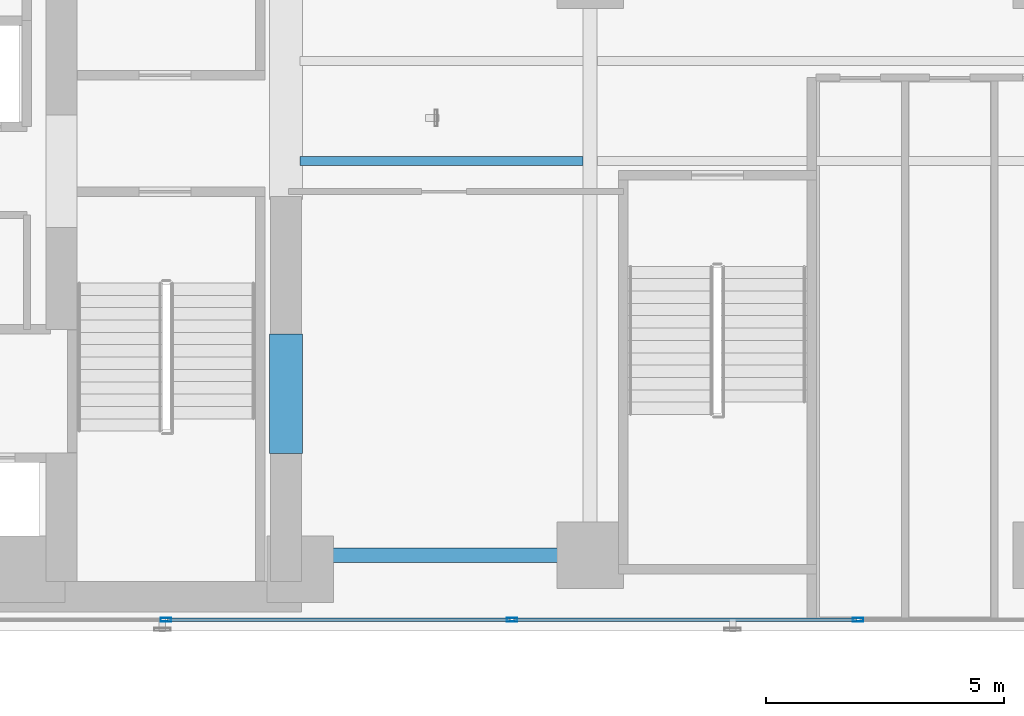
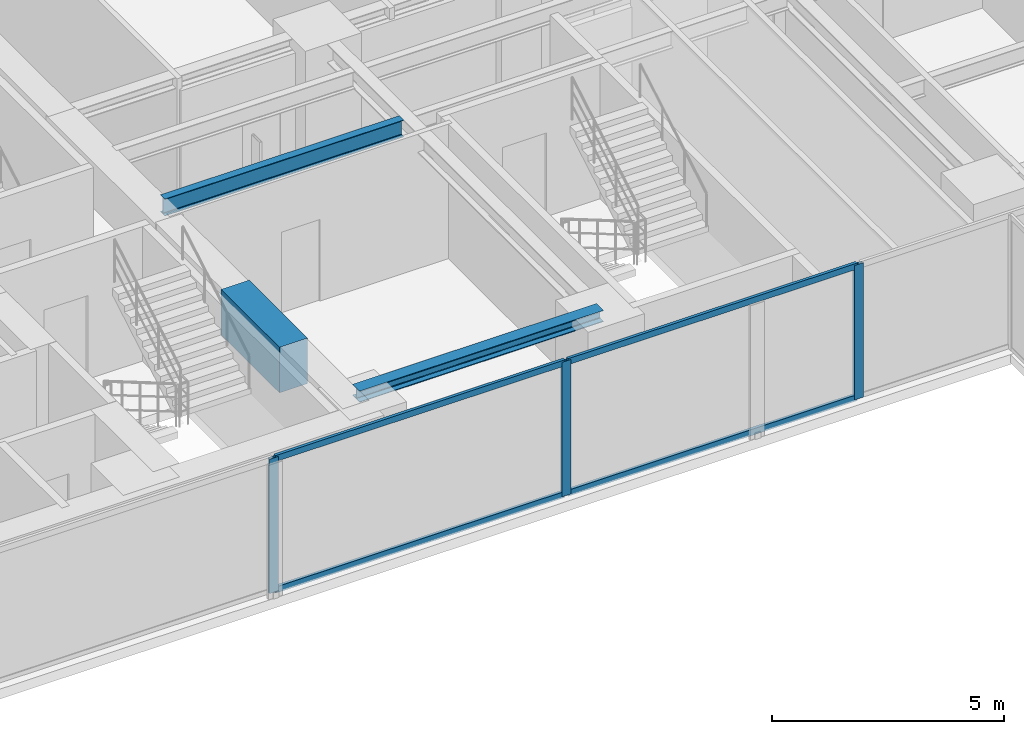
# One storey, part 4 of 27: 7 members, 3 beams, 1 element without a shape of its own.
"""IFC4 building model written with IfcOpenShell, lengths in metres."""

from ifc_helpers import new_model, si_unit, direction, frame, origin, origin_with_axes, origin_2d, place, context, subcontext, project, spatial, rectangle, hollow_rectangle, i_section, extrude, source, transform, mapped, material, layer, layer_set, material_profile, profile_set, type_object, element, aggregate, save


model = new_model("IFC4")

# Units and contexts
model_context = context("Model", 3, precision=1e-05, world=origin(), true_north=direction((0.0, 1.0)))
body_context = subcontext(model_context, "Body", "Model", "MODEL_VIEW")
ifc_project = project(units=[si_unit("LENGTHUNIT", "METRE"), si_unit("AREAUNIT", "SQUARE_METRE"), si_unit("VOLUMEUNIT", "CUBIC_METRE"), si_unit("PLANEANGLEUNIT", "RADIAN"), si_unit("MASSUNIT", "GRAM", prefix="KILO")], contexts=[model_context])

# Site, building, storey
site_placement = place(None, origin())
site = spatial("IfcSite", under=ifc_project, at=site_placement, CompositionType="ELEMENT")
building_placement = place(site_placement, origin())
building = spatial("IfcBuilding", under=site, at=building_placement, Name="Kolvaren Waterfront Exchange", CompositionType="ELEMENT")
storey_placement = place(building_placement, frame((0.0, 0.0, 118.300048828125)))
storey = spatial("IfcBuildingStorey", under=building, at=storey_placement, Name="L30", CompositionType="ELEMENT", Elevation=118.300048828125)

# Beams
ifc_material_1 = material(Name="Steel S355", Category="steel")
ifc_material_profile_1 = material_profile(ifc_material_1, i_section(OverallWidth=0.300048828125, OverallDepth=0.300048828125, WebThickness=0.010986328125, FlangeThickness=0.01904296875, FilletRadius=0.027099609375, at=origin_2d()), Name="HEB300")
ifc_profile_set_1 = profile_set([ifc_material_profile_1], Name="Steel S355")
beam_type_1 = type_object("IfcBeamType", Name="STR-BM-HEB300", PredefinedType="SPANDREL", material=ifc_profile_set_1)
beam_1_placement = place(storey_placement, frame((21.125, 5.199951171875, 3.389892578125), z_axis=(1.0, 0.0, 0.0), x_axis=(0.0, 1.0, 0.0)))
element("IfcBeam", 1, at=beam_1_placement, inside=storey, type_object=beam_type_1, Name="L30 east-arm spandrel S1", PredefinedType="SPANDREL", context=body_context, shape_type="SweptSolid", body=[
    extrude(i_section(OverallWidth=0.300048828125, OverallDepth=0.300048828125, WebThickness=0.010986328125, FlangeThickness=0.01904296875, FilletRadius=0.027099609375, at=origin_2d()), origin(), (0.0, 0.0, 1.0), 6.074951171875),
])
ifc_material_profile_2 = material_profile(ifc_material_1, i_section(OverallWidth=0.18994140625, OverallDepth=0.449951171875, WebThickness=0.009521484375, FlangeThickness=0.0146484375, FilletRadius=0.02099609375, at=origin_2d()), Name="IPE450")
ifc_profile_set_2 = profile_set([ifc_material_profile_2], Name="Steel S355")
beam_type_2 = type_object("IfcBeamType", Name="STR-BM-IPE450", PredefinedType="JOIST", material=ifc_profile_set_2)
beam_2_placement = place(storey_placement, frame((21.10009765625, 13.5, 3.31494140625), z_axis=(1.0, 0.0, 0.0), x_axis=(0.0, 1.0, 0.0)))
element("IfcBeam", 2, at=beam_2_placement, inside=storey, type_object=beam_type_2, Name="L30 east-arm composite joist 1A", PredefinedType="JOIST", context=body_context, shape_type="SweptSolid", body=[
    extrude(i_section(OverallWidth=0.18994140625, OverallDepth=0.449951171875, WebThickness=0.009521484375, FlangeThickness=0.0146484375, FilletRadius=0.02099609375, at=origin_2d()), origin(), (0.0, 0.0, 1.0), 5.947998046875),
])
ifc_material_2 = material(Name="Concrete C70/85", Category="concrete")
ifc_material_profile_3 = material_profile(ifc_material_2, rectangle(XDim=0.699951171875, YDim=1.199951171875, at=origin_2d()), Name="RC-CB-1200x700")
ifc_profile_set_3 = profile_set([ifc_material_profile_3], Name="Concrete C70/85")
beam_type_3 = type_object("IfcBeamType", Name="STR-CB-1200", PredefinedType="SPANDREL", material=ifc_profile_set_3)
beam_3_placement = place(storey_placement, frame((20.800048828125, 7.340087890625, 2.93994140625), z_axis=(0.0, 1.0, 0.0), x_axis=(-1.0, 0.0, 0.0)))
element("IfcBeam", 3, at=beam_3_placement, inside=storey, type_object=beam_type_3, Name="L30 core coupling beam 1", PredefinedType="SPANDREL", context=body_context, shape_type="SweptSolid", body=[
    extrude(rectangle(XDim=0.699951171875, YDim=1.199951171875, at=origin_2d()), origin(), (0.0, 0.0, 1.0), 2.52001953125),
])

# Curtain wall, members
ifc_material_3 = material(Name="Anodised bronze aluminium 6063-T6", Category="aluminium")
ifc_layer = layer(ifc_material_3, 0.219970703125, Name="Anodised bronze aluminium 6063-T6")
ifc_layer_set = layer_set([ifc_layer], Name="Anodised bronze aluminium 6063-T6")
curtain_wall_type = type_object("IfcCurtainWallType", Name="ARC-CW-SYS1", PredefinedType="USERDEFINED", material=ifc_layer_set)
curtain_wall_placement = place(storey_placement, origin())
curtain_wall = element("IfcCurtainWall", 4, at=curtain_wall_placement, inside=storey, type_object=curtain_wall_type, Name="L30 stick curtain wall CW1 (CW-L30-S)", ObjectType="STICK CURTAIN WALL", PredefinedType="USERDEFINED")
ifc_material_4 = material(Name="Anodised aluminium 6063-T6", Category="aluminium")
ifc_material_profile_4 = material_profile(ifc_material_4, hollow_rectangle(XDim=0.080078125, YDim=0.219970703125, WallThickness=0.0048828125, at=origin_2d()), Name="ALU-MUL-220x80x5")
ifc_profile_set_4 = profile_set([ifc_material_profile_4], Name="Anodised aluminium 6063-T6")
member_type_1 = type_object("IfcMemberType", Name="ARC-CWM-220", PredefinedType="MULLION", material=ifc_profile_set_4)
shared_shape_1 = source(origin_with_axes(), body_context, "Body", "SweptSolid", [
    extrude(hollow_rectangle(XDim=0.080078125, YDim=0.219970703125, WallThickness=0.0048828125, at=origin_2d()), origin(), (0.0, 0.0, 1.0), 3.5400390625),
])
member_1_placement = place(storey_placement, frame((18.271484375, 3.840087890625, 0.0), z_axis=(0.0, 0.0, 1.0), x_axis=(0.0, 1.0, 0.0)))
member_1 = element("IfcMember", 5, at=member_1_placement, type_object=member_type_1, Name="CW1 mullion 3", PredefinedType="MULLION", context=body_context, shape_type="MappedRepresentation", body=[
    mapped(shared_shape_1, transform((0.0, 0.0, 0.0), x_axis=(1.0, 0.0, 0.0), y_axis=(0.0, 1.0, 0.0), z_axis=(0.0, 0.0, 1.0), scale=1.0)),
])
member_2_placement = place(storey_placement, frame((25.55712890625, 3.840087890625, 0.0), z_axis=(0.0, 0.0, 1.0), x_axis=(0.0, 1.0, 0.0)))
member_2 = element("IfcMember", 6, at=member_2_placement, type_object=member_type_1, Name="CW1 mullion 4", PredefinedType="MULLION", context=body_context, shape_type="MappedRepresentation", body=[
    mapped(shared_shape_1, transform((0.0, 0.0, 0.0), x_axis=(1.0, 0.0, 0.0), y_axis=(0.0, 1.0, 0.0), z_axis=(0.0, 0.0, 1.0), scale=1.0)),
])
member_3_placement = place(storey_placement, frame((32.8427734375, 3.840087890625, 0.0), z_axis=(0.0, 0.0, 1.0), x_axis=(0.0, 1.0, 0.0)))
member_3 = element("IfcMember", 7, at=member_3_placement, type_object=member_type_1, Name="CW1 mullion 5", PredefinedType="MULLION", context=body_context, shape_type="MappedRepresentation", body=[
    mapped(shared_shape_1, transform((0.0, 0.0, 0.0), x_axis=(1.0, 0.0, 0.0), y_axis=(0.0, 1.0, 0.0), z_axis=(0.0, 0.0, 1.0), scale=1.0)),
])
ifc_material_profile_5 = material_profile(ifc_material_4, hollow_rectangle(XDim=0.074951171875, YDim=0.159912109375, WallThickness=0.00439453125, at=origin_2d()), Name="ALU-TRN-160x75x4.5")
ifc_profile_set_5 = profile_set([ifc_material_profile_5], Name="Anodised aluminium 6063-T6")
member_type_2 = type_object("IfcMemberType", Name="ARC-CWT-160", PredefinedType="USERDEFINED", material=ifc_profile_set_5)
shared_shape_2 = source(origin_with_axes(), body_context, "Body", "SweptSolid", [
    extrude(hollow_rectangle(XDim=0.074951171875, YDim=0.159912109375, WallThickness=0.00439453125, at=origin_2d()), origin(), (0.0, 0.0, 1.0), 7.205810546875),
])
member_4_placement = place(storey_placement, frame((25.59716796875, 3.840087890625, 0.037353515625), z_axis=(1.0, 0.0, 0.0), x_axis=(0.0, 1.0, 0.0)))
member_4 = element("IfcMember", 8, at=member_4_placement, type_object=member_type_2, Name="CW1 transom 4.1", ObjectType="TRANSOM", PredefinedType="USERDEFINED", context=body_context, shape_type="MappedRepresentation", body=[
    mapped(shared_shape_2, transform((0.0, 0.0, 0.0), x_axis=(1.0, 0.0, 0.0), y_axis=(0.0, 1.0, 0.0), z_axis=(0.0, 0.0, 1.0), scale=1.0)),
])
member_5_placement = place(storey_placement, frame((25.59716796875, 3.840087890625, 3.50244140625), z_axis=(1.0, 0.0, 0.0), x_axis=(0.0, 1.0, 0.0)))
member_5 = element("IfcMember", 9, at=member_5_placement, type_object=member_type_2, Name="CW1 transom 4.2", ObjectType="TRANSOM", PredefinedType="USERDEFINED", context=body_context, shape_type="MappedRepresentation", body=[
    mapped(shared_shape_2, transform((0.0, 0.0, 0.0), x_axis=(1.0, 0.0, 0.0), y_axis=(0.0, 1.0, 0.0), z_axis=(0.0, 0.0, 1.0), scale=1.0)),
])
shared_shape_3 = source(origin_with_axes(), body_context, "Body", "SweptSolid", [
    extrude(hollow_rectangle(XDim=0.074951171875, YDim=0.159912109375, WallThickness=0.00439453125, at=origin_2d()), origin(), (0.0, 0.0, 1.0), 7.20556640625),
])
member_6_placement = place(storey_placement, frame((18.3115234375, 3.840087890625, 0.037353515625), z_axis=(1.0, 0.0, 0.0), x_axis=(0.0, 1.0, 0.0)))
member_6 = element("IfcMember", 10, at=member_6_placement, type_object=member_type_2, Name="CW1 transom 3.1", ObjectType="TRANSOM", PredefinedType="USERDEFINED", context=body_context, shape_type="MappedRepresentation", body=[
    mapped(shared_shape_3, transform((0.0, 0.0, 0.0), x_axis=(1.0, 0.0, 0.0), y_axis=(0.0, 1.0, 0.0), z_axis=(0.0, 0.0, 1.0), scale=1.0)),
])
member_7_placement = place(storey_placement, frame((18.3115234375, 3.840087890625, 3.50244140625), z_axis=(1.0, 0.0, 0.0), x_axis=(0.0, 1.0, 0.0)))
member_7 = element("IfcMember", 11, at=member_7_placement, type_object=member_type_2, Name="CW1 transom 3.2", ObjectType="TRANSOM", PredefinedType="USERDEFINED", context=body_context, shape_type="MappedRepresentation", body=[
    mapped(shared_shape_3, transform((0.0, 0.0, 0.0), x_axis=(1.0, 0.0, 0.0), y_axis=(0.0, 1.0, 0.0), z_axis=(0.0, 0.0, 1.0), scale=1.0)),
])
aggregate(curtain_wall, [member_1, member_2, member_3, member_6, member_7, member_4, member_5])

save(model, "model.ifc")
